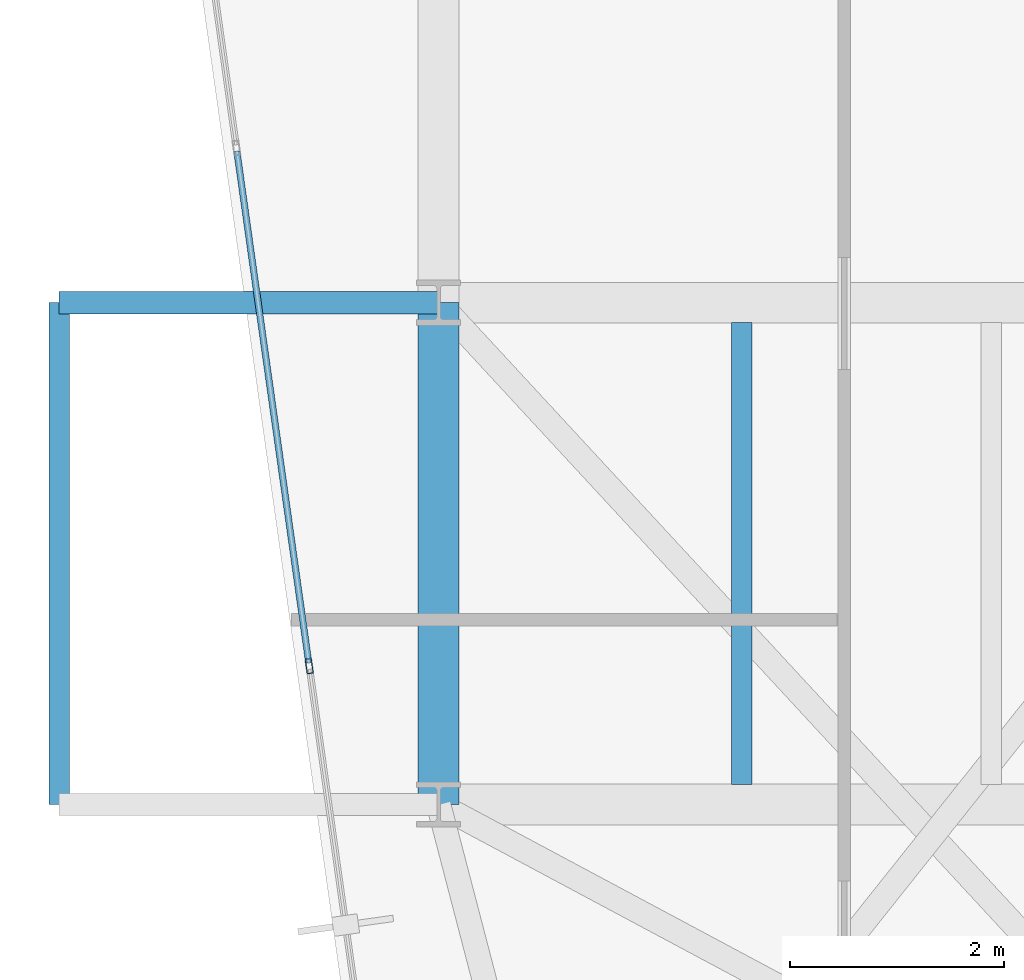
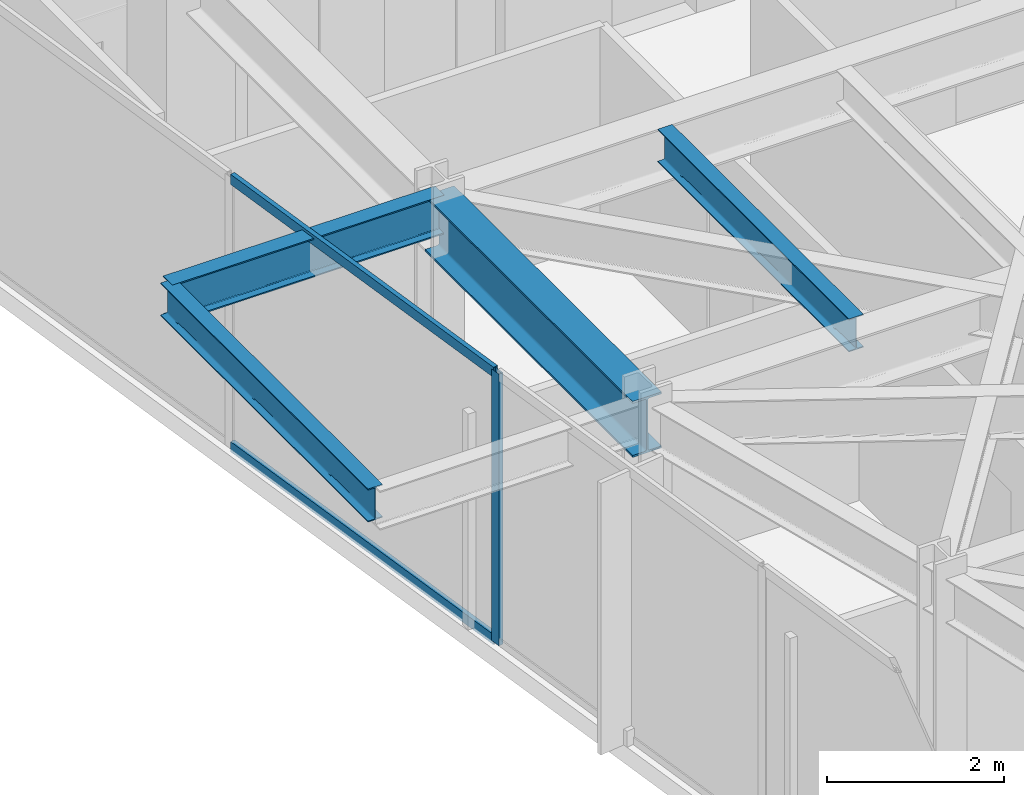
# One storey, part 9 of 27: 4 beams, 3 members, 1 element without a shape of its own.
"""IFC4 building model written with IfcOpenShell, lengths in metres."""

from ifc_helpers import new_model, si_unit, direction, frame, origin, origin_2d, place, context, subcontext, project, spatial, hollow_rectangle, i_section, extrude, material, layer, layer_set, material_profile, profile_set, type_object, element, aggregate, save


model = new_model("IFC4")

# Units and contexts
model_context = context("Model", 3, precision=1e-05, world=origin(), true_north=direction((0.0, 1.0)))
body_context = subcontext(model_context, "Body", "Model", "MODEL_VIEW")
ifc_project = project(units=[si_unit("LENGTHUNIT", "METRE"), si_unit("AREAUNIT", "SQUARE_METRE"), si_unit("VOLUMEUNIT", "CUBIC_METRE"), si_unit("PLANEANGLEUNIT", "RADIAN"), si_unit("MASSUNIT", "GRAM", prefix="KILO")], contexts=[model_context])

# Site, building, storey
site_placement = place(None, origin())
site = spatial("IfcSite", under=ifc_project, at=site_placement, CompositionType="ELEMENT")
building_placement = place(site_placement, origin())
building = spatial("IfcBuilding", under=site, at=building_placement, Name="Kravanh Interchange Tower", CompositionType="ELEMENT")
storey_placement = place(building_placement, frame((0.0, 0.0, 188.5)))
storey = spatial("IfcBuildingStorey", under=building, at=storey_placement, Name="L45", CompositionType="ELEMENT", Elevation=188.5)

# Curtain wall, members
ifc_material_1 = material(Name="Anodised Bronze Aluminium", Category="aluminium")
ifc_layer = layer(ifc_material_1, 0.179931640625)
ifc_layer_set = layer_set([ifc_layer], Name="Unitised Curtain Wall System CW-Z3 Upper Office")
curtain_wall_type = type_object("IfcCurtainWallType", Name="Unitised Curtain Wall System CW-Z3 Upper Office", PredefinedType="NOTDEFINED", material=ifc_layer_set)
curtain_wall_placement = place(storey_placement, origin())
curtain_wall = element("IfcCurtainWall", 1, at=curtain_wall_placement, inside=storey, type_object=curtain_wall_type, Name="L45 Unitised Curtain Wall CW-L45-01", PredefinedType="NOTDEFINED")
ifc_material_2 = material(Name="Anodised Bronze Aluminium", Category="aluminium")
ifc_material_profile_1 = material_profile(ifc_material_2, hollow_rectangle(XDim=0.06005859375, YDim=0.139892578125, WallThickness=0.00390625, at=origin_2d()), Name="ALU60X140X4")
ifc_profile_set_1 = profile_set([ifc_material_profile_1], Name="Anodised Bronze Aluminium")
member_type_1 = type_object("IfcMemberType", Name="Curtain Wall Mullion ALU60X140X4 Bronze", PredefinedType="MULLION", material=ifc_profile_set_1)
member_1_placement = place(storey_placement, frame((17.388671875, 28.09619140625, 0.0), z_axis=(0.0, 0.0, 1.0), x_axis=(-0.990268194035, -0.139172209446, 0.0)))
member_1 = element("IfcMember", 2, at=member_1_placement, type_object=member_type_1, Name="CW-Z3 mullion 4", PredefinedType="MULLION", context=body_context, shape_type="SweptSolid", body=[
    extrude(hollow_rectangle(XDim=0.06005859375, YDim=0.139892578125, WallThickness=0.00390625, at=origin_2d()), origin(), (0.0, 0.0, 1.0), 3.7548828125),
])
ifc_material_3 = material(Name="Anodised Bronze Aluminium", Category="aluminium")
ifc_material_profile_2 = material_profile(ifc_material_3, hollow_rectangle(XDim=0.06005859375, YDim=0.139892578125, WallThickness=0.00390625, at=origin_2d()), Name="ALU60X140X4")
ifc_profile_set_2 = profile_set([ifc_material_profile_2], Name="Anodised Bronze Aluminium")
member_type_2 = type_object("IfcMemberType", Name="Curtain Wall Transom ALU60X140X4 Bronze", PredefinedType="USERDEFINED", material=ifc_profile_set_2)
member_2_placement = place(storey_placement, frame((17.384521484375, 28.1259765625, 0.030029296875), z_axis=(-0.139182174391, 0.990266793512, 0.0), x_axis=(-0.990266793512, -0.139182174391, 0.0)))
member_2 = element("IfcMember", 3, at=member_2_placement, type_object=member_type_2, Name="CW-Z3 transom 4.1", ObjectType="TRANSOM", PredefinedType="USERDEFINED", context=body_context, shape_type="SweptSolid", body=[
    extrude(hollow_rectangle(XDim=0.06005859375, YDim=0.139892578125, WallThickness=0.00390625, at=origin_2d()), origin(), (0.0, 0.0, 1.0), 4.839599609375),
])
member_3_placement = place(storey_placement, frame((17.384521484375, 28.1259765625, 3.72509765625), z_axis=(-0.139182174391, 0.990266793512, 0.0), x_axis=(-0.990266793512, -0.139182174391, 0.0)))
member_3 = element("IfcMember", 4, at=member_3_placement, type_object=member_type_2, Name="CW-Z3 transom 4.2", ObjectType="TRANSOM", PredefinedType="USERDEFINED", context=body_context, shape_type="SweptSolid", body=[
    extrude(hollow_rectangle(XDim=0.06005859375, YDim=0.139892578125, WallThickness=0.00390625, at=origin_2d()), origin(), (0.0, 0.0, 1.0), 4.839599609375),
])
aggregate(curtain_wall, [member_1, member_2, member_3])

# Beams
ifc_material_4 = material(Name="Structural Steel S355", Category="steel")
ifc_material_profile_3 = material_profile(ifc_material_4, i_section(OverallWidth=0.381103515625, OverallDepth=0.77294921875, WebThickness=0.0166015625, FlangeThickness=0.027099609375, FilletRadius=0.02490234375, at=origin_2d()), Name="W30X173")
ifc_profile_set_3 = profile_set([ifc_material_profile_3], Name="Structural Steel S355")
beam_type_1 = type_object("IfcBeamType", Name="Floor Beam W30X173 Structural Steel S355", PredefinedType="BEAM", material=ifc_profile_set_3)
beam_1_placement = place(storey_placement, frame((18.60009765625, 26.800048828125, 3.368408203125), z_axis=(0.0, 1.0, 0.0), x_axis=(-1.0, 0.0, 0.0)))
element("IfcBeam", 5, at=beam_1_placement, inside=storey, type_object=beam_type_1, Name="L45 Primary Floor Girder 33", PredefinedType="BEAM", context=body_context, shape_type="SweptSolid", body=[
    extrude(i_section(OverallWidth=0.381103515625, OverallDepth=0.77294921875, WebThickness=0.0166015625, FlangeThickness=0.027099609375, FilletRadius=0.02490234375, at=origin_2d()), origin(), (0.0, 0.0, 1.0), 4.699951171875),
])
ifc_material_5 = material(Name="Structural Steel S355", Category="steel")
ifc_material_profile_4 = material_profile(ifc_material_5, i_section(OverallWidth=0.18994140625, OverallDepth=0.45703125, WebThickness=0.009033203125, FlangeThickness=0.014404296875, FilletRadius=0.01806640625, at=origin_2d()), Name="W18X50")
ifc_profile_set_4 = profile_set([ifc_material_profile_4], Name="Structural Steel S355")
beam_type_2 = type_object("IfcBeamType", Name="Floor Joist W18X50 Structural Steel S355", PredefinedType="JOIST", material=ifc_profile_set_4)
beam_2_placement = place(storey_placement, frame((21.43994140625, 26.985595703125, 3.526611328125), z_axis=(0.0, 1.0, 0.0), x_axis=(-1.0, 0.0, 0.0)))
element("IfcBeam", 6, at=beam_2_placement, inside=storey, type_object=beam_type_2, Name="L45 Secondary Floor Joist 9", PredefinedType="JOIST", context=body_context, shape_type="SweptSolid", body=[
    extrude(i_section(OverallWidth=0.18994140625, OverallDepth=0.45703125, WebThickness=0.009033203125, FlangeThickness=0.014404296875, FilletRadius=0.01806640625, at=origin_2d()), origin(), (0.0, 0.0, 1.0), 4.328857421875),
])
beam_3_placement = place(storey_placement, frame((15.047119140625, 26.800048828125, 3.526611328125), z_axis=(0.0, 1.0, 0.0), x_axis=(-1.0, 0.0, 0.0)))
element("IfcBeam", 7, at=beam_3_placement, inside=storey, type_object=beam_type_2, Name="L45 Balcony Edge Tie Beam W", PredefinedType="JOIST", context=body_context, shape_type="SweptSolid", body=[
    extrude(i_section(OverallWidth=0.18994140625, OverallDepth=0.45703125, WebThickness=0.009033203125, FlangeThickness=0.014404296875, FilletRadius=0.01806640625, at=origin_2d()), origin(), (0.0, 0.0, 1.0), 4.699951171875),
])
ifc_material_6 = material(Name="Structural Steel S355", Category="steel")
ifc_material_profile_5 = material_profile(ifc_material_6, i_section(OverallWidth=0.2099609375, OverallDepth=0.537109375, WebThickness=0.010986328125, FlangeThickness=0.017333984375, FilletRadius=0.02001953125, at=origin_2d()), Name="W21X68")
ifc_profile_set_5 = profile_set([ifc_material_profile_5], Name="Structural Steel S355")
beam_type_3 = type_object("IfcBeamType", Name="Floor Spandrel W21X68 Structural Steel S355", PredefinedType="SPANDREL", material=ifc_profile_set_5)
beam_4_placement = place(storey_placement, frame((18.60009765625, 31.5, 3.486572265625), z_axis=(-1.0, 0.0, 0.0), x_axis=(0.0, -1.0, 0.0)))
element("IfcBeam", 8, at=beam_4_placement, inside=storey, type_object=beam_type_3, Name="L45 Balcony Cantilever Outrigger W2", PredefinedType="SPANDREL", context=body_context, shape_type="SweptSolid", body=[
    extrude(i_section(OverallWidth=0.2099609375, OverallDepth=0.537109375, WebThickness=0.010986328125, FlangeThickness=0.017333984375, FilletRadius=0.02001953125, at=origin_2d()), origin(), (0.0, 0.0, 1.0), 3.552978515625),
])

save(model, "model.ifc")
